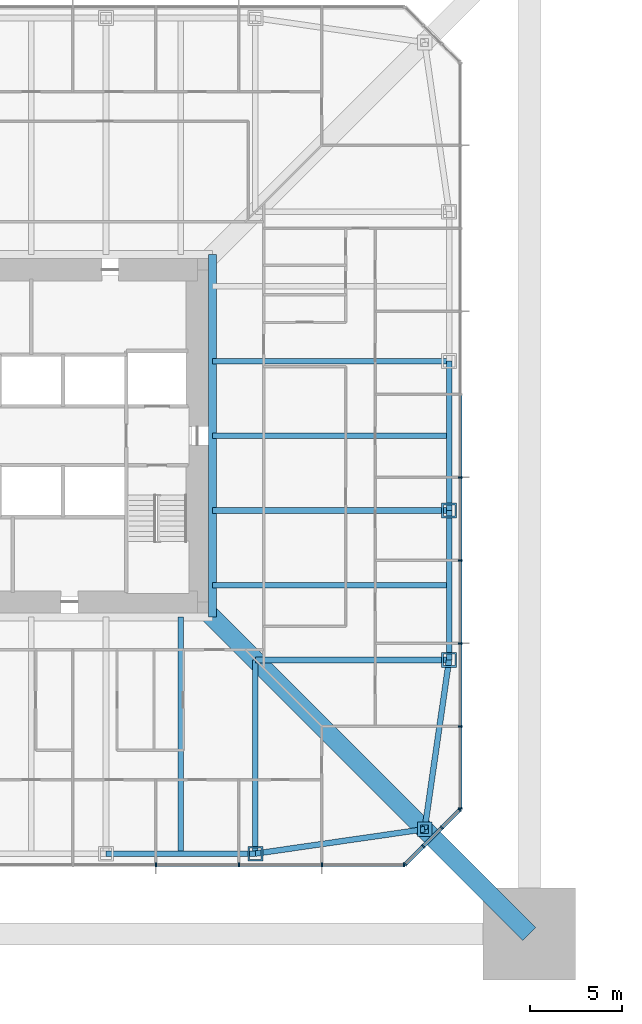
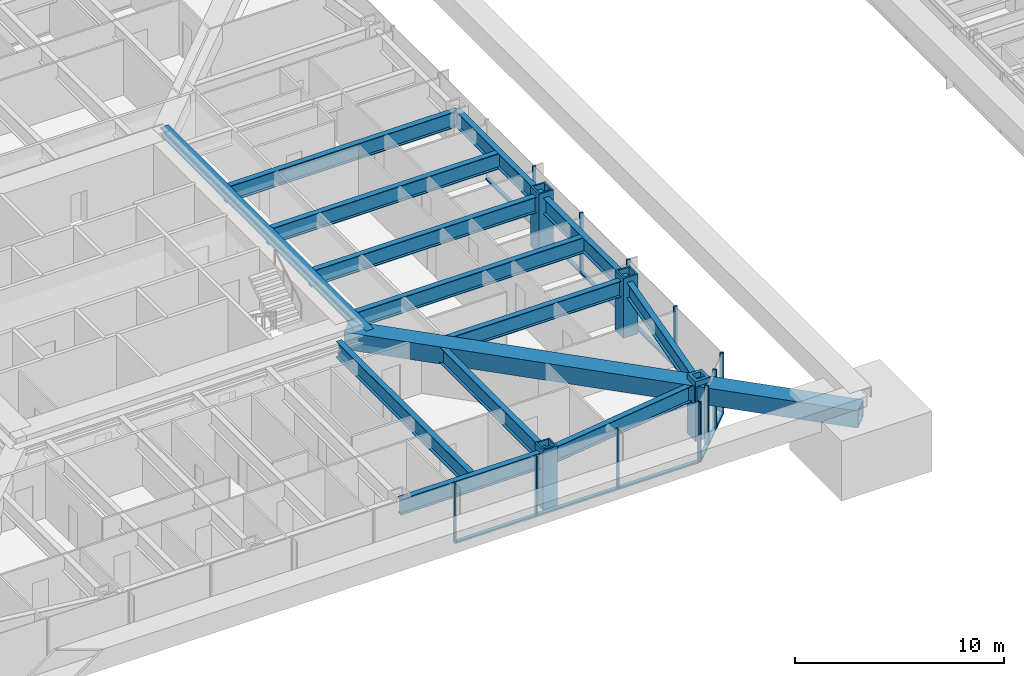
# One storey, part 7 of 32: 30 members, 13 beams, 3 elements without a shape of their own.
"""IFC4 building model written with IfcOpenShell, lengths in metres."""

from ifc_helpers import new_model, si_unit, direction, frame, origin, origin_2d, place, context, subcontext, project, spatial, rectangle, hollow_rectangle, i_section, extrude, material, material_profile, profile_set, type_object, element, aggregate, save


model = new_model("IFC4")

# Units and contexts
model_context = context("Model", 3, precision=1e-05, world=origin(), true_north=direction((0.0, 1.0)))
body_context = subcontext(model_context, "Body", "Model", "MODEL_VIEW")
ifc_project = project(units=[si_unit("LENGTHUNIT", "METRE"), si_unit("AREAUNIT", "SQUARE_METRE"), si_unit("VOLUMEUNIT", "CUBIC_METRE"), si_unit("PLANEANGLEUNIT", "RADIAN"), si_unit("MASSUNIT", "GRAM", prefix="KILO")], contexts=[model_context])

# Site, building, storey
site_placement = place(None, origin())
site = spatial("IfcSite", under=ifc_project, at=site_placement, CompositionType="ELEMENT")
building_placement = place(site_placement, origin())
building = spatial("IfcBuilding", under=site, at=building_placement, Name="Iwan Alto Co-Living Towers", CompositionType="ELEMENT")
storey_placement = place(building_placement, frame((0.0, 0.0, 71.0)))
storey = spatial("IfcBuildingStorey", under=building, at=storey_placement, Name="L19", CompositionType="ELEMENT", Elevation=71.0)

# Curtain wall, members
ifc_material_1 = material(Name="Bronze aluminium unitised frame", Category="aluminium")
curtain_wall_type_1 = type_object("IfcCurtainWallType", Name="CURTAIN WALL CW-A", PredefinedType="NOTDEFINED", material=ifc_material_1)
curtain_wall_1_placement = place(storey_placement, origin())
curtain_wall_1 = element("IfcCurtainWall", 1, at=curtain_wall_1_placement, inside=storey, type_object=curtain_wall_type_1, Name="T1 curtain wall S L19", PredefinedType="NOTDEFINED")
ifc_material_2 = material(Name="Aluminium 6063-T6 bronze anodised", Category="aluminium")
ifc_material_profile_1 = material_profile(ifc_material_2, rectangle(XDim=0.199951171875, YDim=0.080078125, at=origin_2d()), Name="AL 80X200")
ifc_profile_set_1 = profile_set([ifc_material_profile_1], Name="Aluminium 6063-T6 bronze anodised")
member_type_1 = type_object("IfcMemberType", Name="CW-A MULLION 80X200", PredefinedType="MULLION", material=ifc_profile_set_1)
member_1_placement = place(storey_placement, frame((6.75, -23.25, 0.0), z_axis=(0.0, 0.0, 1.0), x_axis=(0.0, 1.0, 0.0)))
member_1 = element("IfcMember", 2, at=member_1_placement, type_object=member_type_1, Name="CW-A mullion 7", PredefinedType="MULLION", context=body_context, shape_type="SweptSolid", body=[
    extrude(rectangle(XDim=0.199951171875, YDim=0.080078125, at=origin_2d()), origin(), (0.0, 0.0, 1.0), 3.5),
])
member_2_placement = place(storey_placement, frame((11.25, -23.25, 0.0), z_axis=(0.0, 0.0, 1.0), x_axis=(0.0, 1.0, 0.0)))
member_2 = element("IfcMember", 3, at=member_2_placement, type_object=member_type_1, Name="CW-A mullion 8", PredefinedType="MULLION", context=body_context, shape_type="SweptSolid", body=[
    extrude(rectangle(XDim=0.199951171875, YDim=0.080078125, at=origin_2d()), origin(), (0.0, 0.0, 1.0), 3.5),
])
member_3_placement = place(storey_placement, frame((15.75, -23.25, 0.0), z_axis=(0.0, 0.0, 1.0), x_axis=(0.0, 1.0, 0.0)))
member_3 = element("IfcMember", 4, at=member_3_placement, type_object=member_type_1, Name="CW-A mullion 9", PredefinedType="MULLION", context=body_context, shape_type="SweptSolid", body=[
    extrude(rectangle(XDim=0.199951171875, YDim=0.080078125, at=origin_2d()), origin(), (0.0, 0.0, 1.0), 3.5),
])
member_4_placement = place(storey_placement, frame((20.2099609375, -23.25, 0.0), z_axis=(0.0, 0.0, 1.0), x_axis=(0.0, 1.0, 0.0)))
member_4 = element("IfcMember", 5, at=member_4_placement, type_object=member_type_1, Name="CW-A mullion 10", PredefinedType="MULLION", context=body_context, shape_type="SweptSolid", body=[
    extrude(rectangle(XDim=0.199951171875, YDim=0.080078125, at=origin_2d()), origin(), (0.0, 0.0, 1.0), 3.5),
])

curtain_wall_2_placement = place(storey_placement, origin())
curtain_wall_2 = element("IfcCurtainWall", 6, at=curtain_wall_2_placement, inside=storey, type_object=curtain_wall_type_1, Name="T1 curtain wall E L19", PredefinedType="NOTDEFINED")
member_5_placement = place(storey_placement, frame((23.25, -20.2099609375, 0.0), z_axis=(0.0, 0.0, 1.0), x_axis=(-1.0, 0.0, 0.0)))
member_5 = element("IfcMember", 7, at=member_5_placement, type_object=member_type_1, Name="CW-A mullion 1", PredefinedType="MULLION", context=body_context, shape_type="SweptSolid", body=[
    extrude(rectangle(XDim=0.199951171875, YDim=0.080078125, at=origin_2d()), origin(), (0.0, 0.0, 1.0), 3.5),
])
member_6_placement = place(storey_placement, frame((23.25, -15.75, 0.0), z_axis=(0.0, 0.0, 1.0), x_axis=(-1.0, 0.0, 0.0)))
member_6 = element("IfcMember", 8, at=member_6_placement, type_object=member_type_1, Name="CW-A mullion 2", PredefinedType="MULLION", context=body_context, shape_type="SweptSolid", body=[
    extrude(rectangle(XDim=0.199951171875, YDim=0.080078125, at=origin_2d()), origin(), (0.0, 0.0, 1.0), 3.5),
])
member_7_placement = place(storey_placement, frame((23.25, -11.25, 0.0), z_axis=(0.0, 0.0, 1.0), x_axis=(-1.0, 0.0, 0.0)))
member_7 = element("IfcMember", 9, at=member_7_placement, type_object=member_type_1, Name="CW-A mullion 3", PredefinedType="MULLION", context=body_context, shape_type="SweptSolid", body=[
    extrude(rectangle(XDim=0.199951171875, YDim=0.080078125, at=origin_2d()), origin(), (0.0, 0.0, 1.0), 3.5),
])
member_8_placement = place(storey_placement, frame((23.25, -6.75, 0.0), z_axis=(0.0, 0.0, 1.0), x_axis=(-1.0, 0.0, 0.0)))
member_8 = element("IfcMember", 10, at=member_8_placement, type_object=member_type_1, Name="CW-A mullion 4", PredefinedType="MULLION", context=body_context, shape_type="SweptSolid", body=[
    extrude(rectangle(XDim=0.199951171875, YDim=0.080078125, at=origin_2d()), origin(), (0.0, 0.0, 1.0), 3.5),
])
member_9_placement = place(storey_placement, frame((23.25, -2.25, 0.0), z_axis=(0.0, 0.0, 1.0), x_axis=(-1.0, 0.0, 0.0)))
member_9 = element("IfcMember", 11, at=member_9_placement, type_object=member_type_1, Name="CW-A mullion 5", PredefinedType="MULLION", context=body_context, shape_type="SweptSolid", body=[
    extrude(rectangle(XDim=0.199951171875, YDim=0.080078125, at=origin_2d()), origin(), (0.0, 0.0, 1.0), 3.5),
])

# Member
ifc_material_3 = material(Name="Aluminium 6063-T6 bronze anodised", Category="aluminium")
ifc_material_profile_2 = material_profile(ifc_material_3, rectangle(XDim=0.199951171875, YDim=0.10009765625, at=origin_2d()), Name="AL 200X100")
ifc_profile_set_2 = profile_set([ifc_material_profile_2], Name="Aluminium 6063-T6 bronze anodised")
member_type_2 = type_object("IfcMemberType", Name="CW-A TRANSOM 200X100", PredefinedType="USERDEFINED", material=ifc_profile_set_2)
member_10_placement = place(storey_placement, frame((6.7900390625, -23.25, 0.050048828125), z_axis=(1.0, 0.0, 0.0), x_axis=(0.0, 1.0, 0.0)))
member_10 = element("IfcMember", 12, at=member_10_placement, type_object=member_type_2, Name="CW-A transom 7.1", ObjectType="TRANSOM", PredefinedType="USERDEFINED", context=body_context, shape_type="SweptSolid", body=[
    extrude(rectangle(XDim=0.199951171875, YDim=0.10009765625, at=origin_2d()), origin(), (0.0, 0.0, 1.0), 4.419921875),
])

member_11_placement = place(storey_placement, frame((11.2900390625, -23.25, 0.050048828125), z_axis=(1.0, 0.0, 0.0), x_axis=(0.0, 1.0, 0.0)))
member_11 = element("IfcMember", 13, at=member_11_placement, type_object=member_type_2, Name="CW-A transom 8.1", ObjectType="TRANSOM", PredefinedType="USERDEFINED", context=body_context, shape_type="SweptSolid", body=[
    extrude(rectangle(XDim=0.199951171875, YDim=0.10009765625, at=origin_2d()), origin(), (0.0, 0.0, 1.0), 4.419921875),
])

member_12_placement = place(storey_placement, frame((15.7900390625, -23.25, 0.050048828125), z_axis=(1.0, 0.0, 0.0), x_axis=(0.0, 1.0, 0.0)))
member_12 = element("IfcMember", 14, at=member_12_placement, type_object=member_type_2, Name="CW-A transom 9.1", ObjectType="TRANSOM", PredefinedType="USERDEFINED", context=body_context, shape_type="SweptSolid", body=[
    extrude(rectangle(XDim=0.199951171875, YDim=0.10009765625, at=origin_2d()), origin(), (0.0, 0.0, 1.0), 4.3798828125),
])

aggregate(curtain_wall_1, [member_1, member_2, member_3, member_4, member_10, member_11, member_12])

member_13_placement = place(storey_placement, frame((23.25, -20.169921875, 0.050048828125), z_axis=(0.0, 1.0, 0.0), x_axis=(-1.0, 0.0, 0.0)))
member_13 = element("IfcMember", 15, at=member_13_placement, type_object=member_type_2, Name="CW-A transom 1.1", ObjectType="TRANSOM", PredefinedType="USERDEFINED", context=body_context, shape_type="SweptSolid", body=[
    extrude(rectangle(XDim=0.199951171875, YDim=0.10009765625, at=origin_2d()), origin(), (0.0, 0.0, 1.0), 4.3798828125),
])

member_14_placement = place(storey_placement, frame((23.25, -15.7099609375, 0.050048828125), z_axis=(0.0, 1.0, 0.0), x_axis=(-1.0, 0.0, 0.0)))
member_14 = element("IfcMember", 16, at=member_14_placement, type_object=member_type_2, Name="CW-A transom 2.1", ObjectType="TRANSOM", PredefinedType="USERDEFINED", context=body_context, shape_type="SweptSolid", body=[
    extrude(rectangle(XDim=0.199951171875, YDim=0.10009765625, at=origin_2d()), origin(), (0.0, 0.0, 1.0), 4.419921875),
])

member_15_placement = place(storey_placement, frame((23.25, -11.2099609375, 0.050048828125), z_axis=(0.0, 1.0, 0.0), x_axis=(-1.0, 0.0, 0.0)))
member_15 = element("IfcMember", 17, at=member_15_placement, type_object=member_type_2, Name="CW-A transom 3.1", ObjectType="TRANSOM", PredefinedType="USERDEFINED", context=body_context, shape_type="SweptSolid", body=[
    extrude(rectangle(XDim=0.199951171875, YDim=0.10009765625, at=origin_2d()), origin(), (0.0, 0.0, 1.0), 4.419921875),
])

member_16_placement = place(storey_placement, frame((23.25, -6.7099609375, 0.050048828125), z_axis=(0.0, 1.0, 0.0), x_axis=(-1.0, 0.0, 0.0)))
member_16 = element("IfcMember", 18, at=member_16_placement, type_object=member_type_2, Name="CW-A transom 4.1", ObjectType="TRANSOM", PredefinedType="USERDEFINED", context=body_context, shape_type="SweptSolid", body=[
    extrude(rectangle(XDim=0.199951171875, YDim=0.10009765625, at=origin_2d()), origin(), (0.0, 0.0, 1.0), 4.419921875),
])

member_17_placement = place(storey_placement, frame((23.25, -2.2099609375, 0.050048828125), z_axis=(0.0, 1.0, 0.0), x_axis=(-1.0, 0.0, 0.0)))
member_17 = element("IfcMember", 19, at=member_17_placement, type_object=member_type_2, Name="CW-A transom 5.1", ObjectType="TRANSOM", PredefinedType="USERDEFINED", context=body_context, shape_type="SweptSolid", body=[
    extrude(rectangle(XDim=0.199951171875, YDim=0.10009765625, at=origin_2d()), origin(), (0.0, 0.0, 1.0), 4.419921875),
])

aggregate(curtain_wall_2, [member_5, member_6, member_7, member_8, member_9, member_13, member_14, member_15, member_16, member_17])

# Curtain wall, members
ifc_material_4 = material(Name="Bronze aluminium unitised frame", Category="aluminium")
curtain_wall_type_2 = type_object("IfcCurtainWallType", Name="CURTAIN WALL CW-B", PredefinedType="NOTDEFINED", material=ifc_material_4)
curtain_wall_3_placement = place(storey_placement, origin())
curtain_wall_3 = element("IfcCurtainWall", 20, at=curtain_wall_3_placement, inside=storey, type_object=curtain_wall_type_2, Name="T1 chamfer curtain wall SE L19", PredefinedType="NOTDEFINED")
ifc_material_5 = material(Name="Aluminium 6063-T6 bronze anodised", Category="aluminium")
ifc_material_profile_3 = material_profile(ifc_material_5, rectangle(XDim=0.199951171875, YDim=0.080078125, at=origin_2d()), Name="AL 80X200")
ifc_profile_set_3 = profile_set([ifc_material_profile_3], Name="Aluminium 6063-T6 bronze anodised")
member_type_3 = type_object("IfcMemberType", Name="CW-B MULLION 80X200", PredefinedType="MULLION", material=ifc_profile_set_3)
member_18_placement = place(storey_placement, frame((20.2783203125, -23.2216796875, 0.0), z_axis=(0.0, 0.0, 1.0), x_axis=(-0.707106781187, 0.707106781187, 0.0)))
member_18 = element("IfcMember", 21, at=member_18_placement, type_object=member_type_3, Name="CW-B mullion 1", PredefinedType="MULLION", context=body_context, shape_type="SweptSolid", body=[
    extrude(rectangle(XDim=0.199951171875, YDim=0.080078125, at=origin_2d()), origin(), (0.0, 0.0, 1.0), 3.5),
])
member_19_placement = place(storey_placement, frame((21.25, -22.25, 0.0), z_axis=(0.0, 0.0, 1.0), x_axis=(-0.707106781187, 0.707106781187, 0.0)))
member_19 = element("IfcMember", 22, at=member_19_placement, type_object=member_type_3, Name="CW-B mullion 2", PredefinedType="MULLION", context=body_context, shape_type="SweptSolid", body=[
    extrude(rectangle(XDim=0.199951171875, YDim=0.080078125, at=origin_2d()), origin(), (0.0, 0.0, 1.0), 3.5),
])
member_20_placement = place(storey_placement, frame((22.25, -21.25, 0.0), z_axis=(0.0, 0.0, 1.0), x_axis=(-0.707106781187, 0.707106781187, 0.0)))
member_20 = element("IfcMember", 23, at=member_20_placement, type_object=member_type_3, Name="CW-B mullion 3", PredefinedType="MULLION", context=body_context, shape_type="SweptSolid", body=[
    extrude(rectangle(XDim=0.199951171875, YDim=0.080078125, at=origin_2d()), origin(), (0.0, 0.0, 1.0), 3.5),
])
member_21_placement = place(storey_placement, frame((23.2216796875, -20.2783203125, 0.0), z_axis=(0.0, 0.0, 1.0), x_axis=(-0.707106781187, 0.707106781187, 0.0)))
member_21 = element("IfcMember", 24, at=member_21_placement, type_object=member_type_3, Name="CW-B mullion 4", PredefinedType="MULLION", context=body_context, shape_type="SweptSolid", body=[
    extrude(rectangle(XDim=0.199951171875, YDim=0.080078125, at=origin_2d()), origin(), (0.0, 0.0, 1.0), 3.5),
])
ifc_material_6 = material(Name="Aluminium 6063-T6 bronze anodised", Category="aluminium")
ifc_material_profile_4 = material_profile(ifc_material_6, rectangle(XDim=0.199951171875, YDim=0.10009765625, at=origin_2d()), Name="AL 200X100")
ifc_profile_set_4 = profile_set([ifc_material_profile_4], Name="Aluminium 6063-T6 bronze anodised")
member_type_4 = type_object("IfcMemberType", Name="CW-B TRANSOM 200X100", PredefinedType="USERDEFINED", material=ifc_profile_set_4)
member_22_placement = place(storey_placement, frame((20.306640625, -23.193359375, 0.050048828125), z_axis=(0.707106781187, 0.707106781187, 0.0), x_axis=(-0.707106781187, 0.707106781187, 0.0)))
member_22 = element("IfcMember", 25, at=member_22_placement, type_object=member_type_4, Name="CW-B transom 1.1", ObjectType="TRANSOM", PredefinedType="USERDEFINED", context=body_context, shape_type="SweptSolid", body=[
    extrude(rectangle(XDim=0.199951171875, YDim=0.10009765625, at=origin_2d()), origin(), (0.0, 0.0, 1.0), 1.2939453125),
])
member_23_placement = place(storey_placement, frame((21.2783203125, -22.2216796875, 0.050048828125), z_axis=(0.707106781187, 0.707106781187, 0.0), x_axis=(-0.707106781187, 0.707106781187, 0.0)))
member_23 = element("IfcMember", 26, at=member_23_placement, type_object=member_type_4, Name="CW-B transom 2.1", ObjectType="TRANSOM", PredefinedType="USERDEFINED", context=body_context, shape_type="SweptSolid", body=[
    extrude(rectangle(XDim=0.199951171875, YDim=0.10009765625, at=origin_2d()), origin(), (0.0, 0.0, 1.0), 1.334228515625),
])
member_24_placement = place(storey_placement, frame((22.2783203125, -21.2216796875, 0.050048828125), z_axis=(0.707106781187, 0.707106781187, 0.0), x_axis=(-0.707106781187, 0.707106781187, 0.0)))
member_24 = element("IfcMember", 27, at=member_24_placement, type_object=member_type_4, Name="CW-B transom 3.1", ObjectType="TRANSOM", PredefinedType="USERDEFINED", context=body_context, shape_type="SweptSolid", body=[
    extrude(rectangle(XDim=0.199951171875, YDim=0.10009765625, at=origin_2d()), origin(), (0.0, 0.0, 1.0), 1.2939453125),
])
aggregate(curtain_wall_3, [member_18, member_19, member_20, member_21, member_22, member_23, member_24])

# Beams
ifc_material_7 = material(Name="Steel ASTM A992 Gr 50", Category="steel")
ifc_material_profile_5 = material_profile(ifc_material_7, i_section(OverallWidth=0.307373046875, OverallDepth=0.927001953125, WebThickness=0.01953125, FlangeThickness=0.031982421875, at=origin_2d()), Name="W36X194")
ifc_profile_set_5 = profile_set([ifc_material_profile_5], Name="Steel ASTM A992 Gr 50")
beam_type_1 = type_object("IfcBeamType", Name="T1 BELT TRUSS CHORD W36X194", PredefinedType="BEAM", material=ifc_profile_set_5)
beam_1_placement = place(storey_placement, frame((4.050048828125, -22.64990234375, 2.736328125), z_axis=(1.0, 0.0, 0.0), x_axis=(0.0, 1.0, 0.0)))
element("IfcBeam", 28, at=beam_1_placement, inside=storey, type_object=beam_type_1, Name="T1 edge beam S3 L20", PredefinedType="BEAM", context=body_context, shape_type="SweptSolid", body=[
    extrude(i_section(OverallWidth=0.307373046875, OverallDepth=0.927001953125, WebThickness=0.01953125, FlangeThickness=0.031982421875, at=origin_2d()), origin(), (0.0, 0.0, 1.0), 8.099853515625),
])
for number, where, z_axis, x_axis, name in (
    (29, (12.14990234375, -22.64990234375, 2.736328125), (0.989746234347, 0.142836940589, 0.0), (-0.142836940589, 0.989746234347, 0.0), "T1 edge beam S4 L20"),
    (30, (21.32568359375, -21.32568359375, 2.736328125), (0.142836940589, 0.989746234347, 0.0), (-0.989746234347, 0.142836940589, 0.0), "T1 edge beam CSE L20"),
):
    element("IfcBeam", number, at=place(storey_placement, frame(where, z_axis=z_axis, x_axis=x_axis)), inside=storey, type_object=beam_type_1, Name=name, PredefinedType="BEAM", context=body_context, shape_type="SweptSolid", body=[
        extrude(i_section(OverallWidth=0.307373046875, OverallDepth=0.927001953125, WebThickness=0.01953125, FlangeThickness=0.031982421875, at=origin_2d()), origin(), (0.0, 0.0, 1.0), 9.270751953125),
    ])
beam_2_placement = place(storey_placement, frame((22.64990234375, -12.14990234375, 2.736328125), z_axis=(0.0, 1.0, 0.0), x_axis=(-1.0, 0.0, 0.0)))
element("IfcBeam", 31, at=beam_2_placement, inside=storey, type_object=beam_type_1, Name="T1 edge beam E1 L20", PredefinedType="BEAM", context=body_context, shape_type="SweptSolid", body=[
    extrude(i_section(OverallWidth=0.307373046875, OverallDepth=0.927001953125, WebThickness=0.01953125, FlangeThickness=0.031982421875, at=origin_2d()), origin(), (0.0, 0.0, 1.0), 8.099853515625),
])
beam_3_placement = place(storey_placement, frame((22.64990234375, -4.050048828125, 2.736328125), z_axis=(0.0, 1.0, 0.0), x_axis=(-1.0, 0.0, 0.0)))
element("IfcBeam", 32, at=beam_3_placement, inside=storey, type_object=beam_type_1, Name="T1 edge beam E2 L20", PredefinedType="BEAM", context=body_context, shape_type="SweptSolid", body=[
    extrude(i_section(OverallWidth=0.307373046875, OverallDepth=0.927001953125, WebThickness=0.01953125, FlangeThickness=0.031982421875, at=origin_2d()), origin(), (0.0, 0.0, 1.0), 8.10009765625),
])
ifc_material_8 = material(Name="Steel ASTM A992 Gr 50", Category="steel")
ifc_material_profile_6 = material_profile(ifc_material_8, i_section(OverallWidth=0.436767578125, OverallDepth=0.51318359375, WebThickness=0.060546875, FlangeThickness=0.096923828125, at=origin_2d()), Name="W14X550")
ifc_profile_set_6 = profile_set([ifc_material_profile_6], Name="Steel ASTM A992 Gr 50")
beam_type_2 = type_object("IfcBeamType", Name="T1 CORE LEDGER BEAM W14X550", PredefinedType="BEAM", material=ifc_profile_set_6)
beam_4_placement = place(storey_placement, frame((9.818359375, -9.818359375, 2.943359375), z_axis=(0.0, 1.0, 0.0), x_axis=(-1.0, 0.0, 0.0)))
element("IfcBeam", 33, at=beam_4_placement, inside=storey, type_object=beam_type_2, Name="T1 core ledger beam E L20", PredefinedType="BEAM", context=body_context, shape_type="SweptSolid", body=[
    extrude(i_section(OverallWidth=0.436767578125, OverallDepth=0.51318359375, WebThickness=0.060546875, FlangeThickness=0.096923828125, at=origin_2d()), origin(), (0.0, 0.0, 1.0), 19.63671875),
])

# Members
ifc_material_9 = material(Name="Steel ASTM A36", Category="steel")
ifc_material_profile_7 = material_profile(ifc_material_9, hollow_rectangle(XDim=0.800048828125, YDim=0.800048828125, WallThickness=0.179931640625, at=origin_2d()), Name="BOX 800X800X180")
ifc_profile_set_7 = profile_set([ifc_material_profile_7], Name="Steel ASTM A36")
member_type_5 = type_object("IfcMemberType", Name="T1 HEAVY RING POST AT STEP BOX 800X800X180", PredefinedType="MEMBER", material=ifc_profile_set_7)
member_25_placement = place(storey_placement, frame((21.32568359375, -21.32568359375, 0.0), z_axis=(0.0, 0.0, 1.0), x_axis=(1.0, 0.0, 0.0)))
element("IfcMember", 34, at=member_25_placement, inside=storey, type_object=member_type_5, Name="T1 ring post at step CSE L19", PredefinedType="MEMBER", context=body_context, shape_type="SweptSolid", body=[
    extrude(hollow_rectangle(XDim=0.800048828125, YDim=0.800048828125, WallThickness=0.179931640625, at=origin_2d()), origin(), (0.0, 0.0, 1.0), 3.5),
])
ifc_material_10 = material(Name="Steel ASTM A572 Gr 50", Category="steel")
ifc_material_profile_8 = material_profile(ifc_material_10, hollow_rectangle(XDim=1.0, YDim=1.0, WallThickness=0.070068359375, at=origin_2d()), Name="BOX 1000X1000X70")
ifc_profile_set_8 = profile_set([ifc_material_profile_8], Name="Steel ASTM A572 Gr 50")
member_type_6 = type_object("IfcMemberType", Name="T1 OUTRIGGER CHORD BOX 1000X1000X70", PredefinedType="CHORD", material=ifc_profile_set_8)
member_26_placement = place(storey_placement, frame((9.0, -9.0, 2.699951171875), z_axis=(0.707106781187, -0.707106781187, 0.0), x_axis=(0.707106781187, 0.707106781187, 0.0)))
element("IfcMember", 35, at=member_26_placement, inside=storey, type_object=member_type_6, Name="T1 outrigger SE L20 bottom chord 1", PredefinedType="CHORD", context=body_context, shape_type="SweptSolid", body=[
    extrude(hollow_rectangle(XDim=1.0, YDim=1.0, WallThickness=0.070068359375, at=origin_2d()), origin(), (0.0, 0.0, 1.0), 17.43115234375),
])
member_27_placement = place(storey_placement, frame((21.32568359375, -21.32568359375, 2.699951171875), z_axis=(0.707106781187, -0.707106781187, 0.0), x_axis=(0.707106781187, 0.707106781187, 0.0)))
element("IfcMember", 36, at=member_27_placement, inside=storey, type_object=member_type_6, Name="T1 outrigger SE L20 bottom chord 2", PredefinedType="CHORD", context=body_context, shape_type="SweptSolid", body=[
    extrude(hollow_rectangle(XDim=1.0, YDim=1.0, WallThickness=0.070068359375, at=origin_2d()), origin(), (0.0, 0.0, 1.0), 8.024658203125),
])

# Beams
ifc_material_11 = material(Name="Steel ASTM A992 Gr 50", Category="steel")
ifc_material_profile_9 = material_profile(ifc_material_11, i_section(OverallWidth=0.307373046875, OverallDepth=0.927001953125, WebThickness=0.01953125, FlangeThickness=0.031982421875, at=origin_2d()), Name="W36X194")
ifc_profile_set_9 = profile_set([ifc_material_profile_9], Name="Steel ASTM A992 Gr 50")
beam_type_3 = type_object("IfcBeamType", Name="T1 RADIAL BEAM W36X194", PredefinedType="BEAM", material=ifc_profile_set_9)
for number, where, z_axis, x_axis, name in (
    (37, (12.14990234375, -22.64990234375, 2.736328125), (0.0, 1.0, 0.0), (-1.0, 0.0, 0.0), "T1 radial beam S4 L20"),
    (38, (22.64990234375, -12.14990234375, 2.736328125), (-1.0, 0.0, 0.0), (0.0, -1.0, 0.0), "T1 radial beam E1 L20"),
):
    element("IfcBeam", number, at=place(storey_placement, frame(where, z_axis=z_axis, x_axis=x_axis)), inside=storey, type_object=beam_type_3, Name=name, PredefinedType="BEAM", context=body_context, shape_type="SweptSolid", body=[
        extrude(i_section(OverallWidth=0.307373046875, OverallDepth=0.927001953125, WebThickness=0.01953125, FlangeThickness=0.031982421875, at=origin_2d()), origin(), (0.0, 0.0, 1.0), 10.5),
    ])
for number, where, z_axis, x_axis, name in (
    (39, (22.64990234375, -4.050048828125, 2.736328125), (-1.0, 0.0, 0.0), (0.0, -1.0, 0.0), "T1 radial beam E2 L20"),
    (40, (22.64990234375, 4.050048828125, 2.736328125), (-1.0, 0.0, 0.0), (0.0, -1.0, 0.0), "T1 radial beam E3 L20"),
):
    element("IfcBeam", number, at=place(storey_placement, frame(where, z_axis=z_axis, x_axis=x_axis)), inside=storey, type_object=beam_type_3, Name=name, PredefinedType="BEAM", context=body_context, shape_type="SweptSolid", body=[
        extrude(i_section(OverallWidth=0.307373046875, OverallDepth=0.927001953125, WebThickness=0.01953125, FlangeThickness=0.031982421875, at=origin_2d()), origin(), (0.0, 0.0, 1.0), 12.83154296875),
    ])

# Members
ifc_material_12 = material(Name="Steel ASTM A572 Gr 50", Category="steel")
ifc_material_profile_10 = material_profile(ifc_material_12, hollow_rectangle(XDim=0.800048828125, YDim=0.800048828125, WallThickness=0.090087890625, at=origin_2d()), Name="BOX 800X800X90")
ifc_profile_set_10 = profile_set([ifc_material_profile_10], Name="Steel ASTM A572 Gr 50")
member_type_7 = type_object("IfcMemberType", Name="T1 RING POST AT STEP BOX 800X800X90", PredefinedType="MEMBER", material=ifc_profile_set_10)
for number, where, z_axis, x_axis, name in (
    (41, (12.14990234375, -22.64990234375, 0.0), (0.0, 0.0, 1.0), (1.0, 0.0, 0.0), "T1 ring post at step S4 L19"),
    (42, (22.64990234375, -12.14990234375, 0.0), (0.0, 0.0, 1.0), (1.0, 0.0, 0.0), "T1 ring post at step E1 L19"),
    (43, (22.64990234375, -4.050048828125, 0.0), (0.0, 0.0, 1.0), (1.0, 0.0, 0.0), "T1 ring post at step E2 L19"),
):
    element("IfcMember", number, at=place(storey_placement, frame(where, z_axis=z_axis, x_axis=x_axis)), inside=storey, type_object=member_type_7, Name=name, PredefinedType="MEMBER", context=body_context, shape_type="SweptSolid", body=[
        extrude(hollow_rectangle(XDim=0.800048828125, YDim=0.800048828125, WallThickness=0.090087890625, at=origin_2d()), origin(), (0.0, 0.0, 1.0), 3.5),
    ])

# Beams
ifc_material_13 = material(Name="Steel ASTM A992 Gr 50", Category="steel")
ifc_material_profile_11 = material_profile(ifc_material_13, i_section(OverallWidth=0.307373046875, OverallDepth=0.927001953125, WebThickness=0.01953125, FlangeThickness=0.031982421875, at=origin_2d()), Name="W36X194")
ifc_profile_set_11 = profile_set([ifc_material_profile_11], Name="Steel ASTM A992 Gr 50")
beam_type_4 = type_object("IfcBeamType", Name="T1 SECONDARY BEAM W36X194", PredefinedType="JOIST", material=ifc_profile_set_11)
for number, where, z_axis, x_axis, name in (
    (44, (8.10009765625, -22.64990234375, 2.736328125), (0.0, 1.0, 0.0), (-1.0, 0.0, 0.0), "T1 secondary beam S3 L20"),
    (45, (22.64990234375, -8.10009765625, 2.736328125), (-1.0, 0.0, 0.0), (0.0, -1.0, 0.0), "T1 secondary beam E1 L20"),
    (46, (22.64990234375, 0.0, 2.736328125), (-1.0, 0.0, 0.0), (0.0, -1.0, 0.0), "T1 secondary beam E2 L20"),
):
    element("IfcBeam", number, at=place(storey_placement, frame(where, z_axis=z_axis, x_axis=x_axis)), inside=storey, type_object=beam_type_4, Name=name, PredefinedType="JOIST", context=body_context, shape_type="SweptSolid", body=[
        extrude(i_section(OverallWidth=0.307373046875, OverallDepth=0.927001953125, WebThickness=0.01953125, FlangeThickness=0.031982421875, at=origin_2d()), origin(), (0.0, 0.0, 1.0), 12.83154296875),
    ])

save(model, "model.ifc")
